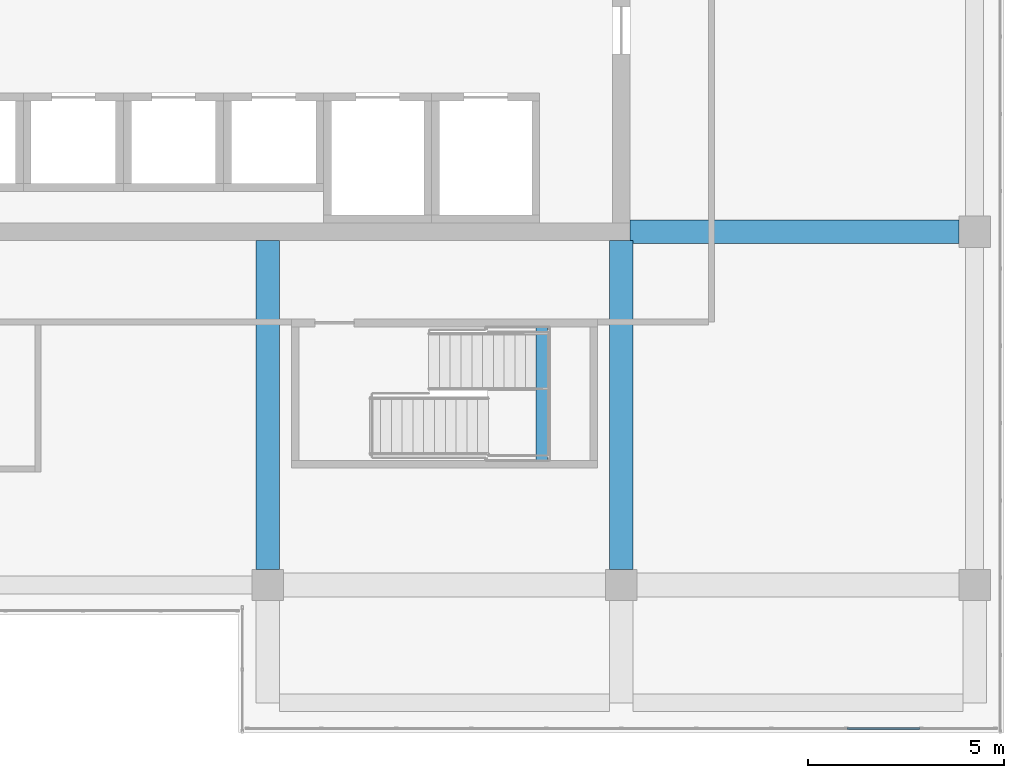
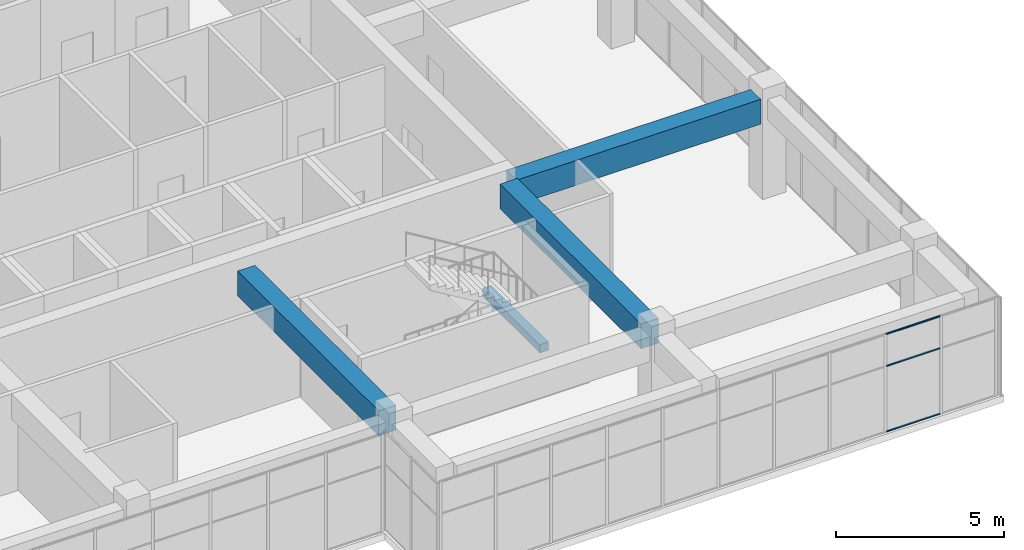
# One storey, part 23 of 52: 4 beams, 3 members, 1 element without a shape of its own.
"""IFC4 building model written with IfcOpenShell, lengths in metres."""

from ifc_helpers import new_model, si_unit, direction, frame, origin, origin_2d, place, context, subcontext, project, spatial, rectangle, hollow_rectangle, extrude, material, layer, layer_set, material_profile, profile_set, type_object, element, aggregate, save


model = new_model("IFC4")

# Units and contexts
model_context = context("Model", 3, precision=1e-05, world=origin(), true_north=direction((0.0, 1.0)))
body_context = subcontext(model_context, "Body", "Model", "MODEL_VIEW")
ifc_project = project(units=[si_unit("LENGTHUNIT", "METRE"), si_unit("AREAUNIT", "SQUARE_METRE"), si_unit("VOLUMEUNIT", "CUBIC_METRE"), si_unit("PLANEANGLEUNIT", "RADIAN"), si_unit("MASSUNIT", "GRAM", prefix="KILO")], contexts=[model_context])

# Site, building, storey
site_placement = place(None, origin())
site = spatial("IfcSite", under=ifc_project, at=site_placement, CompositionType="ELEMENT")
building_placement = place(site_placement, origin())
building = spatial("IfcBuilding", under=site, at=building_placement, Name="Tuart Plaza Theatre", CompositionType="ELEMENT")
storey_placement = place(building_placement, frame((0.0, 0.0, 25.5)))
storey = spatial("IfcBuildingStorey", under=building, at=storey_placement, Name="L06", CompositionType="ELEMENT", Elevation=25.5)

# Beams
ifc_material_1 = material(Name="Concrete N40 (40 MPa)", Category="concrete")
ifc_material_profile_1 = material_profile(ifc_material_1, rectangle(XDim=0.300048828125, YDim=0.300048828125, at=origin_2d()), Name="BEAM 300x300 Concrete N40 (40 MPa)")
ifc_profile_set_1 = profile_set([ifc_material_profile_1], Name="Concrete N40 (40 MPa)")
beam_type_1 = type_object("IfcBeamType", Name="BEAM 300x300 Concrete N40 (40 MPa)", PredefinedType="BEAM", material=ifc_profile_set_1)
beam_placement = place(storey_placement, frame((138.97998046875, 59.175048828125, 1.64990234375), z_axis=(0.0, 1.0, 0.0), x_axis=(-1.0, 0.0, 0.0)))
element("IfcBeam", 1, at=beam_placement, inside=storey, type_object=beam_type_1, Name="RB502", PredefinedType="BEAM", context=body_context, shape_type="SweptSolid", body=[
    extrude(rectangle(XDim=0.300048828125, YDim=0.300048828125, at=origin_2d()), origin(), (0.0, 0.0, 1.0), 3.39990234375),
])
ifc_material_2 = material(Name="Concrete N40 (40 MPa)", Category="concrete")
ifc_material_profile_2 = material_profile(ifc_material_2, rectangle(XDim=0.60009765625, YDim=0.89990234375, at=origin_2d()), Name="BEAM 600x900 Concrete N40 (40 MPa)")
ifc_profile_set_2 = profile_set([ifc_material_profile_2], Name="Concrete N40 (40 MPa)")
beam_type_2 = type_object("IfcBeamType", Name="BEAM 600x900 Concrete N40 (40 MPa)", PredefinedType="BEAM", material=ifc_profile_set_2)
for number, where, z_axis, x_axis, name in (
    (2, (132.0, 56.39990234375, 3.1298828125), (0.0, 1.0, 0.0), (-1.0, 0.0, 0.0), "RB222"),
    (3, (141.0, 56.39990234375, 3.1298828125), (0.0, 1.0, 0.0), (-1.0, 0.0, 0.0), "RB230"),
    (4, (141.22509765625, 65.0, 3.1298828125), (1.0, 0.0, 0.0), (0.0, 1.0, 0.0), "RB234"),
):
    element("IfcBeam", number, at=place(storey_placement, frame(where, z_axis=z_axis, x_axis=x_axis)), inside=storey, type_object=beam_type_2, Name=name, PredefinedType="BEAM", context=body_context, shape_type="SweptSolid", body=[
        extrude(rectangle(XDim=0.60009765625, YDim=0.89990234375, at=origin_2d()), origin(), (0.0, 0.0, 1.0), 8.375),
    ])

# Curtain wall, members
ifc_material_3 = material(Name="Aluminium and glass", Category="aluminium")
ifc_layer = layer(ifc_material_3, 0.10009765625)
ifc_layer_set = layer_set([ifc_layer], Name="CURTAIN WALL 2000 module")
curtain_wall_type = type_object("IfcCurtainWallType", Name="CURTAIN WALL 2000 module", PredefinedType="NOTDEFINED", material=ifc_layer_set)
curtain_wall_placement = place(storey_placement, origin())
curtain_wall = element("IfcCurtainWall", 5, at=curtain_wall_placement, inside=storey, type_object=curtain_wall_type, Name="CW76", PredefinedType="NOTDEFINED")
ifc_material_4 = material(Name="Aluminium 6063-T5", Category="aluminium")
ifc_material_profile_3 = material_profile(ifc_material_4, hollow_rectangle(XDim=0.050048828125, YDim=0.050048828125, WallThickness=0.00390625, InnerFilletRadius=0.00390625, OuterFilletRadius=0.008056640625, at=origin_2d()), Name="RHS 50x50x4")
ifc_profile_set_3 = profile_set([ifc_material_profile_3], Name="Aluminium 6063-T5")
member_type = type_object("IfcMemberType", Name="TRANSOM RHS 50x50x4", PredefinedType="USERDEFINED", material=ifc_profile_set_3)
member_1_placement = place(storey_placement, frame((146.7548828125, 52.35009765625, 0.02490234375), z_axis=(1.0, 0.0, 0.0), x_axis=(0.0, 1.0, 0.0)))
member_1 = element("IfcMember", 6, at=member_1_placement, type_object=member_type, Name="CW76 transom 9.1", ObjectType="TRANSOM", PredefinedType="USERDEFINED", context=body_context, shape_type="SweptSolid", body=[
    extrude(hollow_rectangle(XDim=0.050048828125, YDim=0.050048828125, WallThickness=0.00390625, InnerFilletRadius=0.00390625, OuterFilletRadius=0.008056640625, at=origin_2d()), origin(), (0.0, 0.0, 1.0), 1.860107421875),
])
member_2_placement = place(storey_placement, frame((146.7548828125, 52.35009765625, 2.39990234375), z_axis=(1.0, 0.0, 0.0), x_axis=(0.0, 1.0, 0.0)))
member_2 = element("IfcMember", 7, at=member_2_placement, type_object=member_type, Name="CW76 transom 9.2", ObjectType="TRANSOM", PredefinedType="USERDEFINED", context=body_context, shape_type="SweptSolid", body=[
    extrude(hollow_rectangle(XDim=0.050048828125, YDim=0.050048828125, WallThickness=0.00390625, InnerFilletRadius=0.00390625, OuterFilletRadius=0.008056640625, at=origin_2d()), origin(), (0.0, 0.0, 1.0), 1.860107421875),
])
member_3_placement = place(storey_placement, frame((146.7548828125, 52.35009765625, 3.554931640625), z_axis=(1.0, 0.0, 0.0), x_axis=(0.0, 1.0, 0.0)))
member_3 = element("IfcMember", 8, at=member_3_placement, type_object=member_type, Name="CW76 transom 9.3", ObjectType="TRANSOM", PredefinedType="USERDEFINED", context=body_context, shape_type="SweptSolid", body=[
    extrude(hollow_rectangle(XDim=0.050048828125, YDim=0.050048828125, WallThickness=0.00390625, InnerFilletRadius=0.00390625, OuterFilletRadius=0.008056640625, at=origin_2d()), origin(), (0.0, 0.0, 1.0), 1.860107421875),
])
aggregate(curtain_wall, [member_1, member_2, member_3])

save(model, "model.ifc")
